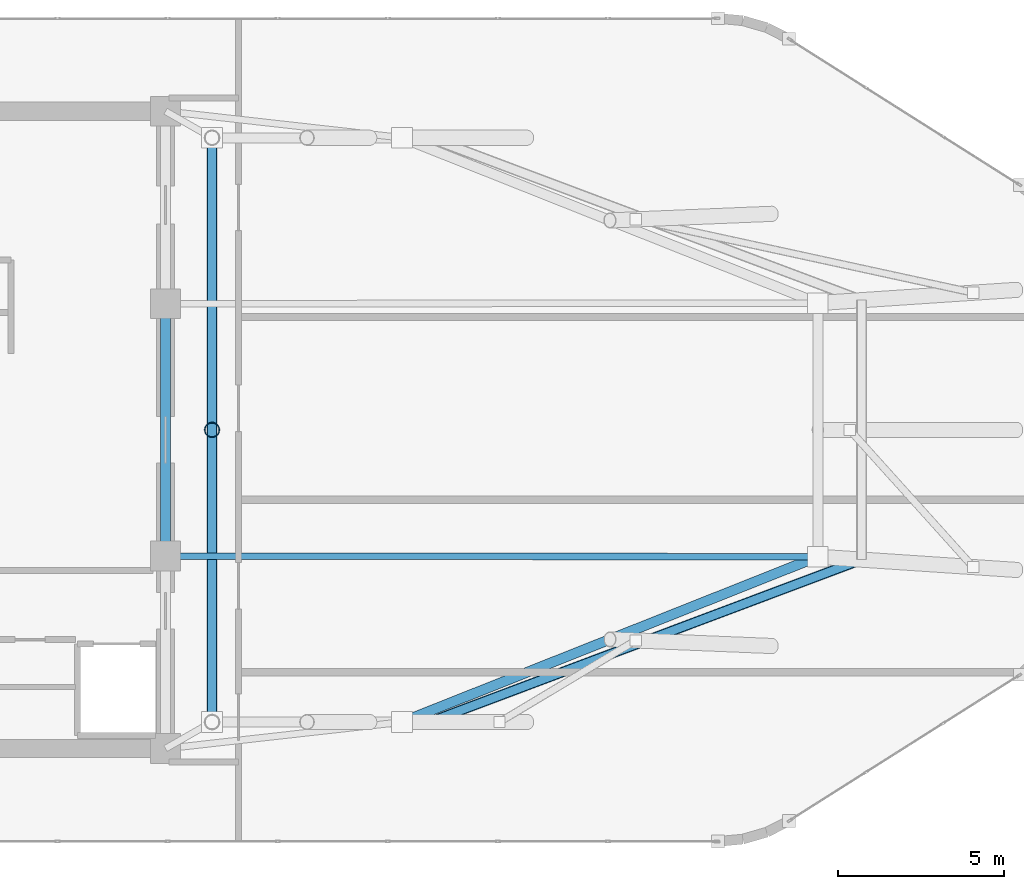
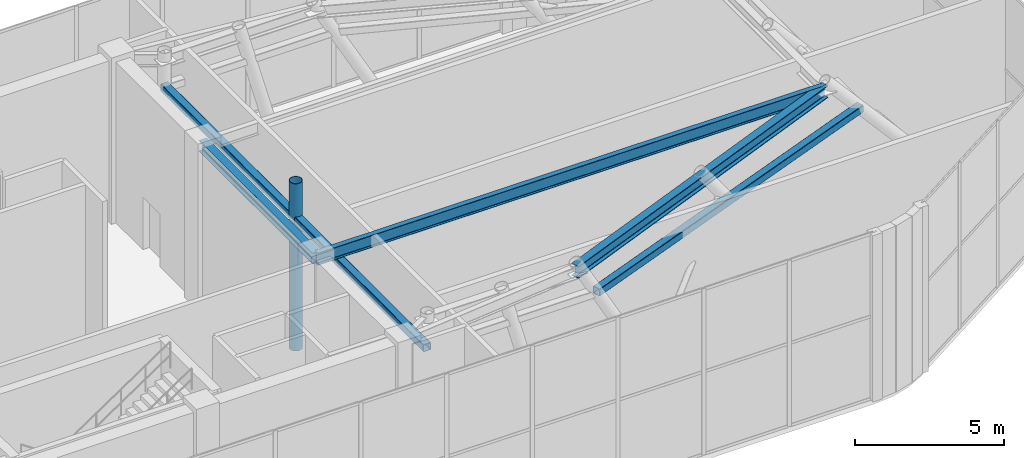
# One storey, part 10 of 24: 3 beams, 3 members.
"""IFC4 building model written with IfcOpenShell, lengths in metres."""

from ifc_helpers import new_model, si_unit, direction, frame, origin, origin_2d, place, context, subcontext, project, spatial, hollow_rectangle, hollow_circle, i_section, extrude, material, material_profile, profile_set, type_object, element, save


model = new_model("IFC4")

# Units and contexts
model_context = context("Model", 3, precision=1e-05, world=origin(), true_north=direction((0.0, 1.0)))
body_context = subcontext(model_context, "Body", "Model", "MODEL_VIEW")
ifc_project = project(units=[si_unit("LENGTHUNIT", "METRE"), si_unit("AREAUNIT", "SQUARE_METRE"), si_unit("VOLUMEUNIT", "CUBIC_METRE"), si_unit("PLANEANGLEUNIT", "RADIAN"), si_unit("MASSUNIT", "GRAM", prefix="KILO")], contexts=[model_context])

# Site, building, storey
site_placement = place(None, origin())
site = spatial("IfcSite", under=ifc_project, at=site_placement, CompositionType="ELEMENT")
building_placement = place(site_placement, origin())
building = spatial("IfcBuilding", under=site, at=building_placement, Name="An Khanh Terracotta Commons", CompositionType="ELEMENT")
storey_placement = place(building_placement, frame((0.0, 0.0, 315.199951171875)))
storey = spatial("IfcBuildingStorey", under=building, at=storey_placement, Name="L80 Crown Cooling Plant", CompositionType="ELEMENT", Elevation=315.199951171875)

# Beams
ifc_material_1 = material(Name="Steel S355J2", Category="steel")
ifc_material_profile_1 = material_profile(ifc_material_1, i_section(OverallWidth=0.300048828125, OverallDepth=0.449951171875, WebThickness=0.013916015625, FlangeThickness=0.02587890625, FilletRadius=0.027099609375, at=origin_2d()), Name="HEB450")
ifc_profile_set_1 = profile_set([ifc_material_profile_1], Name="Steel S355J2")
beam_type_1 = type_object("IfcBeamType", Name="BM-HEB450", PredefinedType="BEAM", material=ifc_profile_set_1)
beam_1_placement = place(storey_placement, frame((37.199951171875, 20.199951171875, 6.35498046875), z_axis=(0.0, 1.0, 0.0), x_axis=(-1.0, 0.0, 0.0)))
element("IfcBeam", 1, at=beam_1_placement, inside=storey, type_object=beam_type_1, Name="L80 Crown Cooling Plant Core East Coupling Girder 2", PredefinedType="BEAM", context=body_context, shape_type="SweptSolid", body=[
    extrude(i_section(OverallWidth=0.300048828125, OverallDepth=0.449951171875, WebThickness=0.013916015625, FlangeThickness=0.02587890625, FilletRadius=0.027099609375, at=origin_2d()), origin(), (0.0, 0.0, 1.0), 7.60009765625),
])
ifc_material_profile_2 = material_profile(ifc_material_1, i_section(OverallWidth=0.300048828125, OverallDepth=0.5, WebThickness=0.014404296875, FlangeThickness=0.028076171875, FilletRadius=0.027099609375, at=origin_2d()), Name="HEB500")
ifc_profile_set_2 = profile_set([ifc_material_profile_2], Name="Steel S355J2")
beam_type_2 = type_object("IfcBeamType", Name="BM-HEB500", PredefinedType="BEAM", material=ifc_profile_set_2)
beam_2_placement = place(storey_placement, frame((44.322021484375, 15.199951171875, 6.330078125), z_axis=(0.929273843401, 0.369391559148, 0.0), x_axis=(-0.369391559148, 0.929273843401, 0.0)))
element("IfcBeam", 2, at=beam_2_placement, inside=storey, type_object=beam_type_2, Name="L80 Crown Cooling Plant CROWN FRAME Ring Beam 2", PredefinedType="BEAM", context=body_context, shape_type="SweptSolid", body=[
    extrude(i_section(OverallWidth=0.300048828125, OverallDepth=0.5, WebThickness=0.014404296875, FlangeThickness=0.028076171875, FilletRadius=0.027099609375, at=origin_2d()), origin(), (0.0, 0.0, 1.0), 13.481689453125),
])
ifc_material_profile_3 = material_profile(ifc_material_1, i_section(OverallWidth=0.199951171875, OverallDepth=0.5, WebThickness=0.01025390625, FlangeThickness=0.01611328125, FilletRadius=0.02099609375, at=origin_2d()), Name="IPE500")
ifc_profile_set_3 = profile_set([ifc_material_profile_3], Name="Steel S355J2")
beam_type_3 = type_object("IfcBeamType", Name="BM-IPE500", PredefinedType="BEAM", material=ifc_profile_set_3)
beam_3_placement = place(storey_placement, frame((37.199951171875, 20.199951171875, 6.330078125), z_axis=(0.999999481026, -0.001018797538, 0.0), x_axis=(0.001018797538, 0.999999481026, 0.0)))
element("IfcBeam", 3, at=beam_3_placement, inside=storey, type_object=beam_type_3, Name="L80 Crown Cooling Plant Crown Radial Tie Beam 3", PredefinedType="BEAM", context=body_context, shape_type="SweptSolid", body=[
    extrude(i_section(OverallWidth=0.199951171875, OverallDepth=0.5, WebThickness=0.01025390625, FlangeThickness=0.01611328125, FilletRadius=0.02099609375, at=origin_2d()), origin(), (0.0, 0.0, 1.0), 19.650146484375),
])

# Members
ifc_material_2 = material(Name="Steel S460ML", Category="steel")
ifc_material_profile_4 = material_profile(ifc_material_2, hollow_circle(Radius=0.228515625, WallThickness=0.02001953125, at=origin_2d()), Name="CHS457x20")
ifc_profile_set_4 = profile_set([ifc_material_profile_4], Name="Steel S460ML")
member_type_1 = type_object("IfcMemberType", Name="CROWN FRAME RIB CHS457", PredefinedType="STRUT", material=ifc_profile_set_4)
member_1_placement = place(storey_placement, frame((38.60009765625, 24.0, -0.119873046875), z_axis=(0.0, 0.0, 1.0), x_axis=(1.0, 0.0, 0.0)))
element("IfcMember", 4, at=member_1_placement, inside=storey, type_object=member_type_1, Name="L80 Crown Cooling Plant CROWN FRAME Facet Strut 6", PredefinedType="STRUT", context=body_context, shape_type="SweptSolid", body=[
    extrude(hollow_circle(Radius=0.228515625, WallThickness=0.02001953125, at=origin_2d()), origin(), (0.0, 0.0, 1.0), 6.83984375),
])
ifc_material_profile_5 = material_profile(ifc_material_2, hollow_rectangle(XDim=0.300048828125, YDim=0.300048828125, WallThickness=0.01611328125, InnerFilletRadius=0.01611328125, OuterFilletRadius=0.031982421875, at=origin_2d()), Name="SHS300x300x16")
ifc_profile_set_5 = profile_set([ifc_material_profile_5], Name="Steel S460ML")
member_type_2 = type_object("IfcMemberType", Name="CROWN FRAME RING SHS300", PredefinedType="CHORD", material=ifc_profile_set_5)
member_2_placement = place(storey_placement, frame((45.15087890625, 15.199951171875, 5.215087890625), z_axis=(0.936093789729, 0.351750503668, 0.0), x_axis=(-0.351750503668, 0.936093789729, 0.0)))
element("IfcMember", 5, at=member_2_placement, inside=storey, type_object=member_type_2, Name="L80 Crown Cooling Plant CROWN FRAME Sill Ring Chord 2", PredefinedType="CHORD", context=body_context, shape_type="SweptSolid", body=[
    extrude(hollow_rectangle(XDim=0.300048828125, YDim=0.300048828125, WallThickness=0.01611328125, InnerFilletRadius=0.01611328125, OuterFilletRadius=0.031982421875, at=origin_2d()), origin(), (0.0, 0.0, 1.0), 13.907958984375),
])
member_3_placement = place(storey_placement, frame((38.60009765625, 32.800048828125, 5.215087890625), z_axis=(0.0, -1.0, 0.0), x_axis=(1.0, 0.0, 0.0)))
element("IfcMember", 6, at=member_3_placement, inside=storey, type_object=member_type_2, Name="L80 Crown Cooling Plant CROWN FRAME Sill Ring Chord 6", PredefinedType="CHORD", context=body_context, shape_type="SweptSolid", body=[
    extrude(hollow_rectangle(XDim=0.300048828125, YDim=0.300048828125, WallThickness=0.01611328125, InnerFilletRadius=0.01611328125, OuterFilletRadius=0.031982421875, at=origin_2d()), origin(), (0.0, 0.0, 1.0), 17.60009765625),
])

save(model, "model.ifc")
